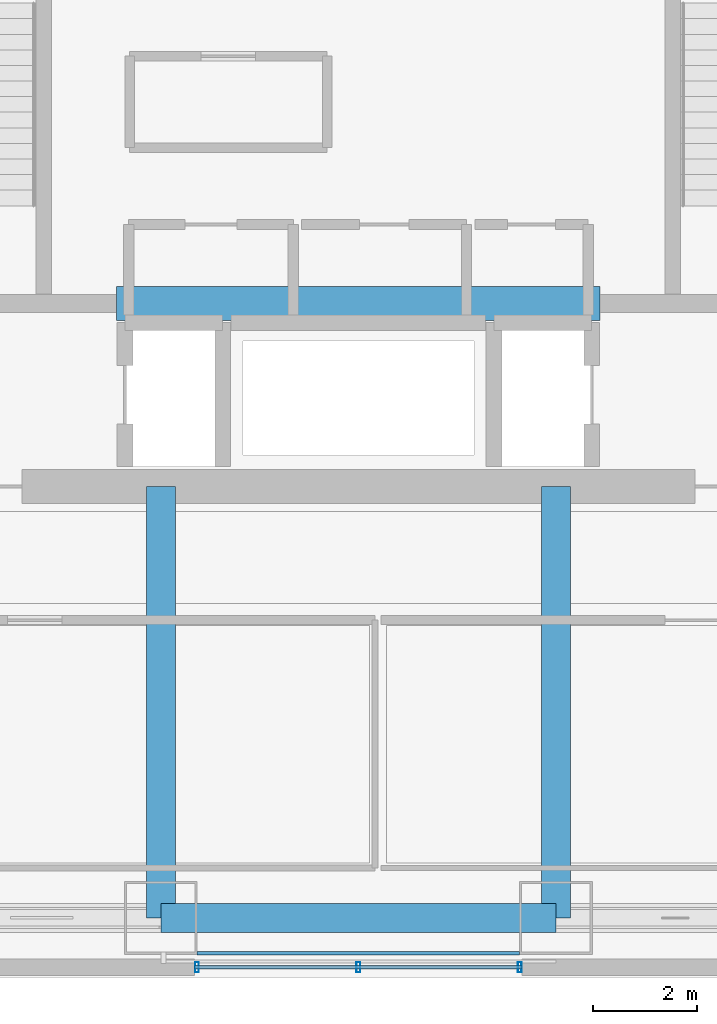
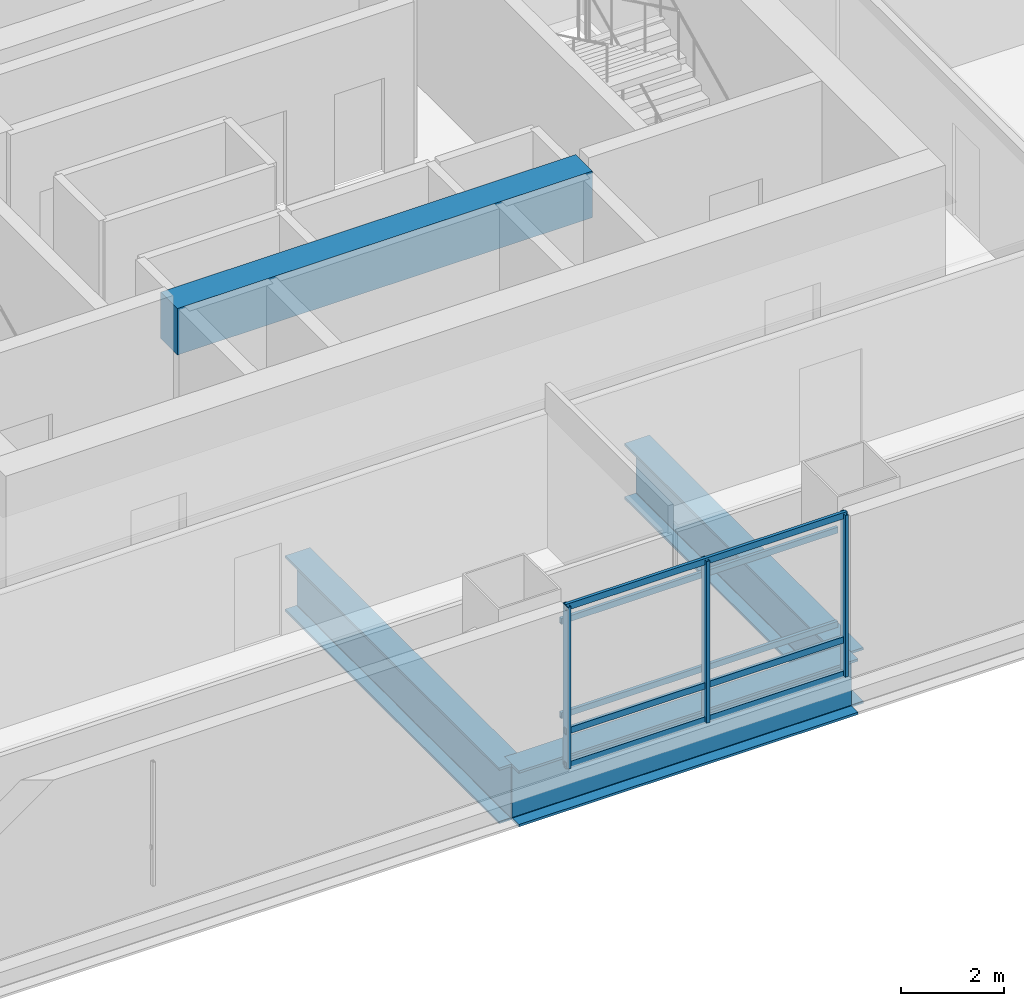
# One storey, part 3 of 32: 8 members, 4 beams, 1 element without a shape of its own.
"""IFC4 building model written with IfcOpenShell, lengths in metres."""

from ifc_helpers import new_model, si_unit, direction, frame, origin, origin_2d, place, context, subcontext, project, spatial, rectangle, hollow_rectangle, i_section, extrude, material, material_profile, profile_set, type_object, element, aggregate, save


model = new_model("IFC4")

# Units and contexts
model_context = context("Model", 3, precision=1e-05, world=origin(), true_north=direction((0.0, 1.0)))
body_context = subcontext(model_context, "Body", "Model", "MODEL_VIEW")
ifc_project = project(units=[si_unit("LENGTHUNIT", "METRE"), si_unit("AREAUNIT", "SQUARE_METRE"), si_unit("VOLUMEUNIT", "CUBIC_METRE"), si_unit("PLANEANGLEUNIT", "RADIAN"), si_unit("MASSUNIT", "GRAM", prefix="KILO")], contexts=[model_context])

# Site, building, storey
site_placement = place(None, origin())
site = spatial("IfcSite", under=ifc_project, at=site_placement, CompositionType="ELEMENT")
building_placement = place(site_placement, origin())
building = spatial("IfcBuilding", under=site, at=building_placement, Name="Punatoya Terracotta Tower", CompositionType="ELEMENT")
storey_placement = place(building_placement, frame((0.0, 0.0, 139.800048828125)))
storey = spatial("IfcBuildingStorey", under=building, at=storey_placement, Name="L32", CompositionType="ELEMENT", Elevation=139.800048828125)

# Beams
ifc_material_1 = material(Name="Concrete C60/75", Category="concrete")
ifc_material_profile_1 = material_profile(ifc_material_1, rectangle(XDim=0.64990234375, YDim=1.10009765625, at=origin_2d()))
ifc_profile_set_1 = profile_set([ifc_material_profile_1], Name="Concrete C60/75")
beam_type_1 = type_object("IfcBeamType", Name="BM-RC-1100", PredefinedType="LINTEL", material=ifc_profile_set_1)
beam_1_placement = place(storey_placement, frame((-4.64990234375, -5.679931640625, 3.280029296875), z_axis=(1.0, 0.0, 0.0), x_axis=(0.0, 1.0, 0.0)))
element("IfcBeam", 1, at=beam_1_placement, inside=storey, type_object=beam_type_1, Name="L32 Core Coupling Lintel CSW", PredefinedType="LINTEL", context=body_context, shape_type="SweptSolid", body=[
    extrude(rectangle(XDim=0.64990234375, YDim=1.10009765625, at=origin_2d()), origin(), (0.0, 0.0, 1.0), 9.2998046875),
])
ifc_material_2 = material(Name="Steel S460", Category="steel")
ifc_material_profile_2 = material_profile(ifc_material_2, i_section(OverallWidth=0.56005859375, OverallDepth=1.320068359375, WebThickness=0.035888671875, FlangeThickness=0.054931640625, FilletRadius=0.01806640625, at=origin_2d()))
ifc_profile_set_2 = profile_set([ifc_material_profile_2], Name="Steel S460")
beam_type_2 = type_object("IfcBeamType", Name="BM-TG-BLK", PredefinedType="BEAM", material=ifc_profile_set_2)
beam_2_placement = place(storey_placement, frame((-3.800048828125, -17.5, -0.93994140625), z_axis=(1.0, 0.0, 0.0), x_axis=(0.0, 1.0, 0.0)))
element("IfcBeam", 2, at=beam_2_placement, inside=storey, type_object=beam_type_2, Name="BM-L32-RG-S2", PredefinedType="BEAM", context=body_context, shape_type="SweptSolid", body=[
    extrude(i_section(OverallWidth=0.56005859375, OverallDepth=1.320068359375, WebThickness=0.035888671875, FlangeThickness=0.054931640625, FilletRadius=0.01806640625, at=origin_2d()), origin(), (0.0, 0.0, 1.0), 7.60009765625),
])
for number, where, z_axis, x_axis, name in (
    (3, (-3.800048828125, -17.5, -0.93994140625), (0.0, 1.0, 0.0), (-1.0, 0.0, 0.0), "BM-L32-PR-S2"),
    (4, (3.800048828125, -17.5, -0.93994140625), (0.0, 1.0, 0.0), (-1.0, 0.0, 0.0), "BM-L32-PR-S3"),
):
    element("IfcBeam", number, at=place(storey_placement, frame(where, z_axis=z_axis, x_axis=x_axis)), inside=storey, type_object=beam_type_2, Name=name, PredefinedType="BEAM", context=body_context, shape_type="SweptSolid", body=[
        extrude(i_section(OverallWidth=0.56005859375, OverallDepth=1.320068359375, WebThickness=0.035888671875, FlangeThickness=0.054931640625, FilletRadius=0.01806640625, at=origin_2d()), origin(), (0.0, 0.0, 1.0), 8.300048828125),
    ])

# Curtain wall, members
ifc_material_3 = material(Name="Aluminium 6063-T6 + Double Low-E Glass", Category="aluminium")
curtain_wall_type = type_object("IfcCurtainWallType", Name="CW-M2", PredefinedType="NOTDEFINED", material=ifc_material_3)
curtain_wall_placement = place(storey_placement, origin())
curtain_wall = element("IfcCurtainWall", 5, at=curtain_wall_placement, inside=storey, type_object=curtain_wall_type, Name="L32 Curtain Wall CW-L32-S01-1", PredefinedType="NOTDEFINED")
ifc_material_4 = material(Name="Aluminium 6063-T6", Category="aluminium")
ifc_material_profile_3 = material_profile(ifc_material_4, hollow_rectangle(XDim=0.072021484375, YDim=0.195068359375, WallThickness=0.00439453125, at=origin_2d()))
ifc_profile_set_3 = profile_set([ifc_material_profile_3], Name="Aluminium 6063-T6")
member_type_1 = type_object("IfcMemberType", Name="CW-MUL-M2", PredefinedType="MULLION", material=ifc_profile_set_3)
member_1_placement = place(storey_placement, frame((-3.10498046875, -18.449951171875, 0.0), z_axis=(0.0, 0.0, 1.0), x_axis=(1.0, 0.0, 0.0)))
member_1 = element("IfcMember", 6, at=member_1_placement, type_object=member_type_1, Name="CW-L32-S01-1 Mullion 00", PredefinedType="MULLION", context=body_context, shape_type="SweptSolid", body=[
    extrude(hollow_rectangle(XDim=0.072021484375, YDim=0.195068359375, WallThickness=0.00439453125, at=origin_2d()), origin(), (0.0, 0.0, 1.0), 3.829833984375),
])
member_2_placement = place(storey_placement, frame((0.0, -18.449951171875, 0.0), z_axis=(0.0, 0.0, 1.0), x_axis=(1.0, 0.0, 0.0)))
member_2 = element("IfcMember", 7, at=member_2_placement, type_object=member_type_1, Name="CW-L32-S01-1 Mullion 01", PredefinedType="MULLION", context=body_context, shape_type="SweptSolid", body=[
    extrude(hollow_rectangle(XDim=0.072021484375, YDim=0.195068359375, WallThickness=0.00439453125, at=origin_2d()), origin(), (0.0, 0.0, 1.0), 3.829833984375),
])
member_3_placement = place(storey_placement, frame((3.10498046875, -18.449951171875, 0.0), z_axis=(0.0, 0.0, 1.0), x_axis=(1.0, 0.0, 0.0)))
member_3 = element("IfcMember", 8, at=member_3_placement, type_object=member_type_1, Name="CW-L32-S01-1 Mullion 02", PredefinedType="MULLION", context=body_context, shape_type="SweptSolid", body=[
    extrude(hollow_rectangle(XDim=0.072021484375, YDim=0.195068359375, WallThickness=0.00439453125, at=origin_2d()), origin(), (0.0, 0.0, 1.0), 3.829833984375),
])
ifc_material_profile_4 = material_profile(ifc_material_4, hollow_rectangle(XDim=0.068115234375, YDim=0.14990234375, WallThickness=0.00390625, at=origin_2d()))
ifc_profile_set_4 = profile_set([ifc_material_profile_4], Name="Aluminium 6063-T6")
member_type_2 = type_object("IfcMemberType", Name="CW-TRN-TYP", PredefinedType="USERDEFINED", material=ifc_profile_set_4)
member_4_placement = place(storey_placement, frame((-3.14990234375, -18.449951171875, 0.0400390625), z_axis=(1.0, 0.0, 0.0), x_axis=(0.0, 1.0, 0.0)))
member_4 = element("IfcMember", 9, at=member_4_placement, type_object=member_type_2, Name="CW-L32-S01-1 Transom 1", ObjectType="TRANSOM", PredefinedType="USERDEFINED", context=body_context, shape_type="SweptSolid", body=[
    extrude(hollow_rectangle(XDim=0.068115234375, YDim=0.14990234375, WallThickness=0.00390625, at=origin_2d()), origin(), (0.0, 0.0, 1.0), 6.2998046875),
])
member_5_placement = place(storey_placement, frame((-3.14990234375, -18.449951171875, 0.849853515625), z_axis=(1.0, 0.0, 0.0), x_axis=(0.0, 1.0, 0.0)))
member_5 = element("IfcMember", 10, at=member_5_placement, type_object=member_type_2, Name="CW-L32-S01-1 Transom 2", ObjectType="TRANSOM", PredefinedType="USERDEFINED", context=body_context, shape_type="SweptSolid", body=[
    extrude(hollow_rectangle(XDim=0.068115234375, YDim=0.14990234375, WallThickness=0.00390625, at=origin_2d()), origin(), (0.0, 0.0, 1.0), 6.2998046875),
])
member_6_placement = place(storey_placement, frame((-3.14990234375, -18.449951171875, 3.7900390625), z_axis=(1.0, 0.0, 0.0), x_axis=(0.0, 1.0, 0.0)))
member_6 = element("IfcMember", 11, at=member_6_placement, type_object=member_type_2, Name="CW-L32-S01-1 Transom 3", ObjectType="TRANSOM", PredefinedType="USERDEFINED", context=body_context, shape_type="SweptSolid", body=[
    extrude(hollow_rectangle(XDim=0.068115234375, YDim=0.14990234375, WallThickness=0.00390625, at=origin_2d()), origin(), (0.0, 0.0, 1.0), 6.2998046875),
])
aggregate(curtain_wall, [member_1, member_2, member_3, member_4, member_5, member_6])

# Members
ifc_material_5 = material(Name="Steel S355", Category="steel")
ifc_material_profile_5 = material_profile(ifc_material_5, hollow_rectangle(XDim=0.070068359375, YDim=0.139892578125, WallThickness=0.006103515625, at=origin_2d()))
ifc_profile_set_5 = profile_set([ifc_material_profile_5], Name="Steel S355")
member_type_3 = type_object("IfcMemberType", Name="MEM-BAG-RAIL", PredefinedType="USERDEFINED", material=ifc_profile_set_5)
for number, where, z_axis, x_axis, name in (
    (12, (-3.1005859375, -18.181884765625, 1.050048828125), (1.0, 0.0, 0.0), (0.0, 1.0, 0.0), "L32 Terracotta Baguette Carrier Rail BAG-L32-S-R1"),
    (13, (-3.1005859375, -18.181884765625, 3.280029296875), (1.0, 0.0, 0.0), (0.0, 1.0, 0.0), "L32 Terracotta Baguette Carrier Rail BAG-L32-S-R2"),
):
    element("IfcMember", number, at=place(storey_placement, frame(where, z_axis=z_axis, x_axis=x_axis)), inside=storey, type_object=member_type_3, Name=name, ObjectType="BAGUETTE", PredefinedType="USERDEFINED", context=body_context, shape_type="SweptSolid", body=[
        extrude(hollow_rectangle(XDim=0.070068359375, YDim=0.139892578125, WallThickness=0.006103515625, at=origin_2d()), origin(), (0.0, 0.0, 1.0), 6.201171875),
    ])

save(model, "model.ifc")
